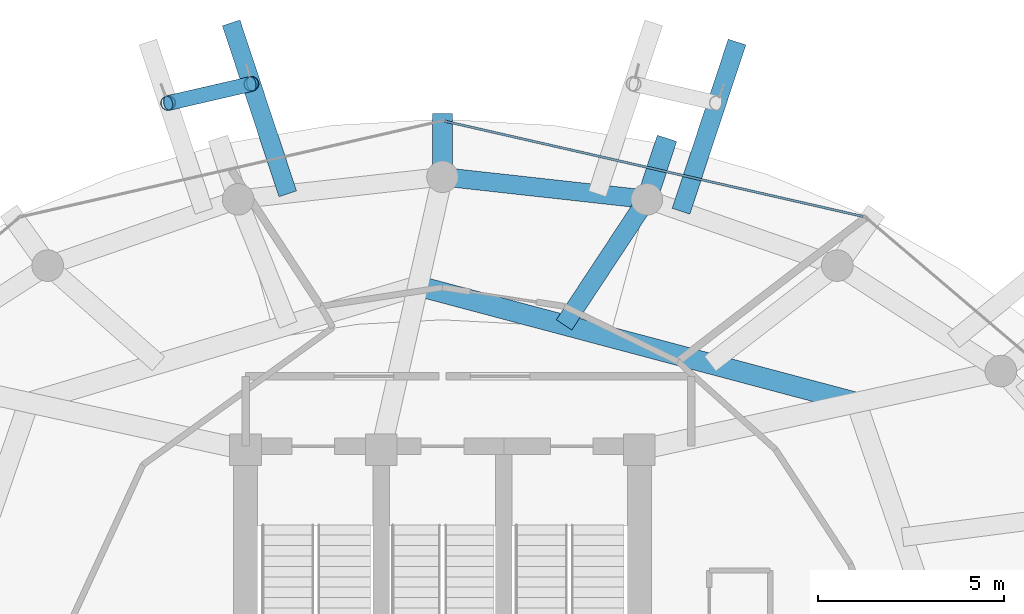
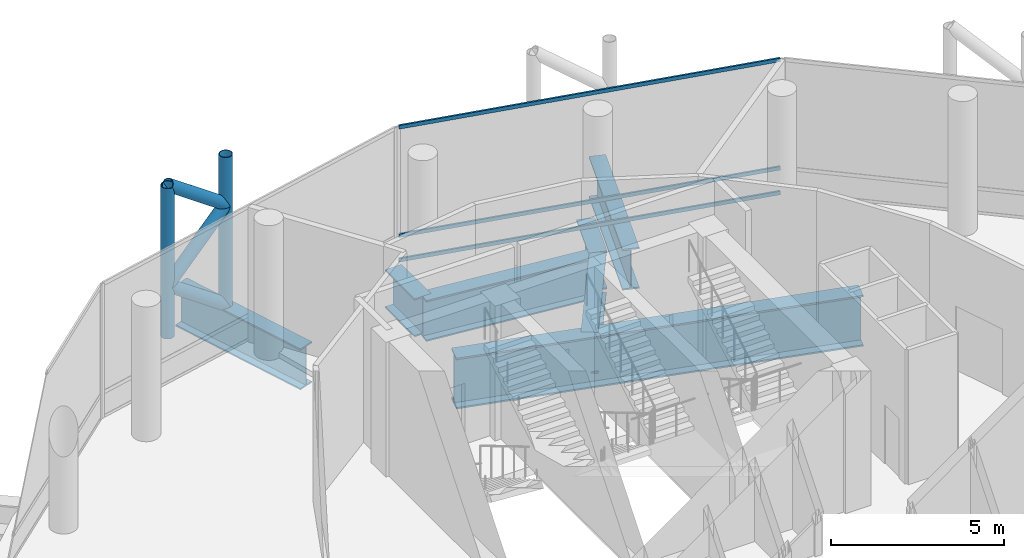
# One storey, part 19 of 31: 8 members, 7 beams, 1 element without a shape of its own.
"""IFC4 building model written with IfcOpenShell, lengths in metres."""

from ifc_helpers import new_model, si_unit, direction, frame, origin, origin_2d, place, context, subcontext, project, spatial, hollow_rectangle, hollow_circle, i_section, extrude, material, layer, layer_set, material_profile, profile_set, type_object, element, aggregate, save


model = new_model("IFC4")

# Units and contexts
model_context = context("Model", 3, precision=1e-05, world=origin(), true_north=direction((0.0, 1.0)))
body_context = subcontext(model_context, "Body", "Model", "MODEL_VIEW")
ifc_project = project(units=[si_unit("LENGTHUNIT", "METRE"), si_unit("AREAUNIT", "SQUARE_METRE"), si_unit("VOLUMEUNIT", "CUBIC_METRE"), si_unit("PLANEANGLEUNIT", "RADIAN"), si_unit("MASSUNIT", "GRAM", prefix="KILO")], contexts=[model_context])

# Site, building, storey
site_placement = place(None, origin())
site = spatial("IfcSite", under=ifc_project, at=site_placement, CompositionType="ELEMENT")
building_placement = place(site_placement, origin())
building = spatial("IfcBuilding", under=site, at=building_placement, Name="Nuhasar Tower", CompositionType="ELEMENT")
storey_placement = place(building_placement, frame((0.0, 0.0, 203.14990234375)))
storey = spatial("IfcBuildingStorey", under=building, at=storey_placement, Name="L49", CompositionType="ELEMENT", Elevation=203.14990234375)

# Beams
ifc_material_1 = material(Name="Steel S460", Category="steel")
ifc_material_profile_1 = material_profile(ifc_material_1, i_section(OverallWidth=0.550048828125, OverallDepth=1.35009765625, WebThickness=0.028076171875, FlangeThickness=0.050048828125, at=origin_2d()), Name="PG1350X550")
ifc_profile_set_1 = profile_set([ifc_material_profile_1], Name="Steel S460")
beam_type_1 = type_object("IfcBeamType", Name="BM-XFER-PG1350", PredefinedType="USERDEFINED", material=ifc_profile_set_1)
beam_1_placement = place(storey_placement, frame((39.0, 44.64990234375, -0.994873046875), z_axis=(0.0, 1.0, 0.0), x_axis=(-1.0, 0.0, 0.0)))
element("IfcBeam", 1, at=beam_1_placement, inside=storey, type_object=beam_type_1, Name="L49 Radial Step Transfer Girder 06", ObjectType="GIRDER", PredefinedType="USERDEFINED", context=body_context, shape_type="SweptSolid", body=[
    extrude(i_section(OverallWidth=0.550048828125, OverallDepth=1.35009765625, WebThickness=0.028076171875, FlangeThickness=0.050048828125, at=origin_2d()), origin(), (0.0, 0.0, 1.0), 1.7001953125),
])
beam_2_placement = place(storey_placement, frame((44.5, 44.0419921875, -0.994873046875), z_axis=(0.313940053742, 0.949442806417, 0.0), x_axis=(-0.949442806417, 0.313940053742, 0.0)))
element("IfcBeam", 2, at=beam_2_placement, inside=storey, type_object=beam_type_1, Name="L49 Outer Column Step Transfer Girder 06", ObjectType="GIRDER", PredefinedType="USERDEFINED", context=body_context, shape_type="SweptSolid", body=[
    extrude(i_section(OverallWidth=0.550048828125, OverallDepth=1.35009765625, WebThickness=0.028076171875, FlangeThickness=0.050048828125, at=origin_2d()), origin(), (0.0, 0.0, 1.0), 1.7294921875),
])
ifc_material_profile_2 = material_profile(ifc_material_1, i_section(OverallWidth=0.5, OverallDepth=1.449951171875, WebThickness=0.028076171875, FlangeThickness=0.050048828125, at=origin_2d()), Name="PG1450X500")
ifc_profile_set_2 = profile_set([ifc_material_profile_2], Name="Steel S460")
beam_type_2 = type_object("IfcBeamType", Name="BM-XFER-PG1450", PredefinedType="USERDEFINED", material=ifc_profile_set_2)
beam_3_placement = place(storey_placement, frame((44.5, 44.0419921875, -1.044921875), z_axis=(-0.993947060915, 0.109860093292, 0.0), x_axis=(-0.109860093292, -0.993947060915, 0.0)))
element("IfcBeam", 3, at=beam_3_placement, inside=storey, type_object=beam_type_2, Name="L49 Perimeter Ring Spandrel 06", ObjectType="GIRDER", PredefinedType="USERDEFINED", context=body_context, shape_type="SweptSolid", body=[
    extrude(i_section(OverallWidth=0.5, OverallDepth=1.449951171875, WebThickness=0.028076171875, FlangeThickness=0.050048828125, at=origin_2d()), origin(), (0.0, 0.0, 1.0), 5.533447265625),
])
beam_4_placement = place(storey_placement, frame((42.27197265625, 40.6640625, -1.044921875), z_axis=(0.55060011299, 0.834769139089, 0.0), x_axis=(-0.834769139089, 0.55060011299, 0.0)))
element("IfcBeam", 4, at=beam_4_placement, inside=storey, type_object=beam_type_2, Name="L49 Inner Column Transfer Girder 06", ObjectType="GIRDER", PredefinedType="USERDEFINED", context=body_context, shape_type="SweptSolid", body=[
    extrude(i_section(OverallWidth=0.5, OverallDepth=1.449951171875, WebThickness=0.028076171875, FlangeThickness=0.050048828125, at=origin_2d()), origin(), (0.0, 0.0, 1.0), 4.046630859375),
])
beam_5_placement = place(storey_placement, frame((45.419921875, 43.721923828125, -1.044921875), z_axis=(0.314364482033, 0.949302360914, 0.0), x_axis=(-0.949302360914, 0.314364482033, 0.0)))
element("IfcBeam", 5, at=beam_5_placement, inside=storey, type_object=beam_type_2, Name="L49 Exoskeleton Step Transfer Girder 05", ObjectType="GIRDER", PredefinedType="USERDEFINED", context=body_context, shape_type="SweptSolid", body=[
    extrude(i_section(OverallWidth=0.5, OverallDepth=1.449951171875, WebThickness=0.028076171875, FlangeThickness=0.050048828125, at=origin_2d()), origin(), (0.0, 0.0, 1.0), 4.797119140625),
])
beam_6_placement = place(storey_placement, frame((34.8359375, 44.18994140625, -1.044921875), z_axis=(-0.314110737492, 0.949386351593, 0.0), x_axis=(-0.949386351593, -0.314110737492, 0.0)))
element("IfcBeam", 6, at=beam_6_placement, inside=storey, type_object=beam_type_2, Name="L49 Exoskeleton Step Transfer Girder 07", ObjectType="GIRDER", PredefinedType="USERDEFINED", context=body_context, shape_type="SweptSolid", body=[
    extrude(i_section(OverallWidth=0.5, OverallDepth=1.449951171875, WebThickness=0.028076171875, FlangeThickness=0.050048828125, at=origin_2d()), origin(), (0.0, 0.0, 1.0), 4.845458984375),
])
ifc_material_profile_3 = material_profile(ifc_material_1, i_section(OverallWidth=0.550048828125, OverallDepth=1.800048828125, WebThickness=0.031982421875, FlangeThickness=0.054931640625, at=origin_2d()), Name="PG1800X550")
ifc_profile_set_3 = profile_set([ifc_material_profile_3], Name="Steel S460")
beam_type_3 = type_object("IfcBeamType", Name="BM-XFER-PG1800", PredefinedType="USERDEFINED", material=ifc_profile_set_3)
beam_7_placement = place(storey_placement, frame((50.135986328125, 38.572998046875, -1.219970703125), z_axis=(-0.966410333243, 0.257004022929, 0.0), x_axis=(-0.257004022929, -0.966410333243, 0.0)))
element("IfcBeam", 7, at=beam_7_placement, inside=storey, type_object=beam_type_3, Name="L49 Inner Header Beam 05", ObjectType="GIRDER", PredefinedType="USERDEFINED", context=body_context, shape_type="SweptSolid", body=[
    extrude(i_section(OverallWidth=0.550048828125, OverallDepth=1.800048828125, WebThickness=0.031982421875, FlangeThickness=0.054931640625, at=origin_2d()), origin(), (0.0, 0.0, 1.0), 12.205810546875),
])

# Curtain wall, members
ifc_material_2 = material(Name="Aluminium 6063-T6", Category="aluminium")
ifc_layer = layer(ifc_material_2, 0.239990234375)
ifc_layer_set = layer_set([ifc_layer], Name="Aluminium 6063-T6")
curtain_wall_type = type_object("IfcCurtainWallType", Name="CW-SKY-LBY", PredefinedType="NOTDEFINED", material=ifc_layer_set)
curtain_wall_placement = place(storey_placement, origin())
curtain_wall = element("IfcCurtainWall", 8, at=curtain_wall_placement, inside=storey, type_object=curtain_wall_type, Name="L49 Unitised Curtain Wall 03", PredefinedType="NOTDEFINED")
ifc_material_profile_4 = material_profile(ifc_material_2, hollow_rectangle(XDim=0.06005859375, YDim=0.1298828125, WallThickness=0.00439453125, at=origin_2d()), Name="CWT-6")
ifc_profile_set_4 = profile_set([ifc_material_profile_4], Name="Aluminium 6063-T6")
member_type_1 = type_object("IfcMemberType", Name="CW-TRN-S6", PredefinedType="USERDEFINED", material=ifc_profile_set_4)
member_1_placement = place(storey_placement, frame((50.321533203125, 43.579345703125, 0.030029296875), z_axis=(-0.974990028275, 0.222248610265, 0.0), x_axis=(-0.222248610265, -0.974990028275, 0.0)))
member_1 = element("IfcMember", 9, at=member_1_placement, type_object=member_type_1, Name="CW-SL transom 1.1", ObjectType="TRANSOM", PredefinedType="USERDEFINED", context=body_context, shape_type="SweptSolid", body=[
    extrude(hollow_rectangle(XDim=0.06005859375, YDim=0.1298828125, WallThickness=0.00439453125, at=origin_2d()), origin(), (0.0, 0.0, 1.0), 11.5517578125),
])
member_2_placement = place(storey_placement, frame((50.321533203125, 43.579345703125, 0.900146484375), z_axis=(-0.974990028275, 0.222248610265, 0.0), x_axis=(-0.222248610265, -0.974990028275, 0.0)))
member_2 = element("IfcMember", 10, at=member_2_placement, type_object=member_type_1, Name="CW-SL transom 1.2", ObjectType="TRANSOM", PredefinedType="USERDEFINED", context=body_context, shape_type="SweptSolid", body=[
    extrude(hollow_rectangle(XDim=0.06005859375, YDim=0.1298828125, WallThickness=0.00439453125, at=origin_2d()), origin(), (0.0, 0.0, 1.0), 11.5517578125),
])
member_3_placement = place(storey_placement, frame((50.321533203125, 43.579345703125, 4.72998046875), z_axis=(-0.974990028275, 0.222248610265, 0.0), x_axis=(-0.222248610265, -0.974990028275, 0.0)))
member_3 = element("IfcMember", 11, at=member_3_placement, type_object=member_type_1, Name="CW-SL transom 1.3", ObjectType="TRANSOM", PredefinedType="USERDEFINED", context=body_context, shape_type="SweptSolid", body=[
    extrude(hollow_rectangle(XDim=0.06005859375, YDim=0.1298828125, WallThickness=0.00439453125, at=origin_2d()), origin(), (0.0, 0.0, 1.0), 11.5517578125),
])
aggregate(curtain_wall, [member_1, member_2, member_3])

# Members
ifc_material_profile_5 = material_profile(ifc_material_1, hollow_circle(Radius=0.203125, WallThickness=0.01904296875, at=origin_2d()), Name="HSS406.4X19.1")
ifc_profile_set_5 = profile_set([ifc_material_profile_5], Name="Steel S460")
member_type_2 = type_object("IfcMemberType", Name="EXO-BRONZE-406", PredefinedType="BRACE", material=ifc_profile_set_5)
for number, where, z_axis, x_axis, name in (
    (12, (33.85693359375, 47.14892578125, -0.31982421875), (0.0, 0.0, 1.0), (1.0, 0.0, 0.0), "L49 Exoskeleton Chord Column EC-04A"),
    (13, (31.615966796875, 46.633056640625, -0.31982421875), (0.0, 0.0, 1.0), (1.0, 0.0, 0.0), "L49 Exoskeleton Chord Column EC-04B"),
):
    element("IfcMember", number, at=place(storey_placement, frame(where, z_axis=z_axis, x_axis=x_axis)), inside=storey, type_object=member_type_2, Name=name, PredefinedType="BRACE", context=body_context, shape_type="SweptSolid", body=[
        extrude(hollow_circle(Radius=0.203125, WallThickness=0.01904296875, at=origin_2d()), origin(), (0.0, 0.0, 1.0), 5.31982421875),
    ])
member_4_placement = place(storey_placement, frame((33.85693359375, 47.14892578125, -0.31982421875), z_axis=(-0.771765785874, -0.177659996247, 0.610585372809), x_axis=(0.224332214284, -0.974512728308, 0.0)))
element("IfcMember", 14, at=member_4_placement, inside=storey, type_object=member_type_2, Name="L49 Bronze Diagrid Brace W1-04", PredefinedType="BRACE", context=body_context, shape_type="SweptSolid", body=[
    extrude(hollow_circle(Radius=0.203125, WallThickness=0.01904296875, at=origin_2d()), origin(), (0.0, 0.0, 1.0), 2.90380859375),
])
member_5_placement = place(storey_placement, frame((31.615966796875, 46.633056640625, 1.453125), z_axis=(0.771607308281, 0.177623514805, 0.610796241635), x_axis=(-0.224332214284, 0.974512728308, 0.0)))
element("IfcMember", 15, at=member_5_placement, inside=storey, type_object=member_type_2, Name="L49 Bronze Diagrid Brace W2-04", PredefinedType="BRACE", context=body_context, shape_type="SweptSolid", body=[
    extrude(hollow_circle(Radius=0.203125, WallThickness=0.01904296875, at=origin_2d()), origin(), (0.0, 0.0, 1.0), 2.904296875),
])
member_6_placement = place(storey_placement, frame((33.85693359375, 47.14892578125, 3.22705078125), z_axis=(-0.771765785874, -0.177659996247, 0.610585372809), x_axis=(0.224332214284, -0.974512728308, 0.0)))
element("IfcMember", 16, at=member_6_placement, inside=storey, type_object=member_type_2, Name="L49 Bronze Diagrid Brace W3-04", PredefinedType="BRACE", context=body_context, shape_type="SweptSolid", body=[
    extrude(hollow_circle(Radius=0.203125, WallThickness=0.01904296875, at=origin_2d()), origin(), (0.0, 0.0, 1.0), 2.90380859375),
])

save(model, "model.ifc")
